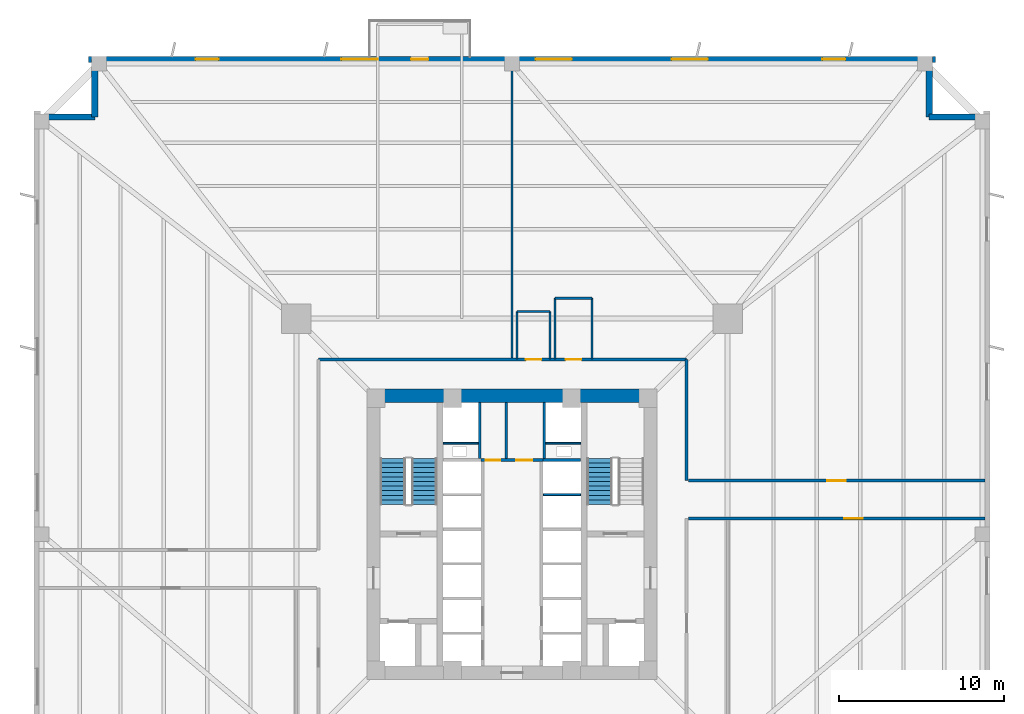
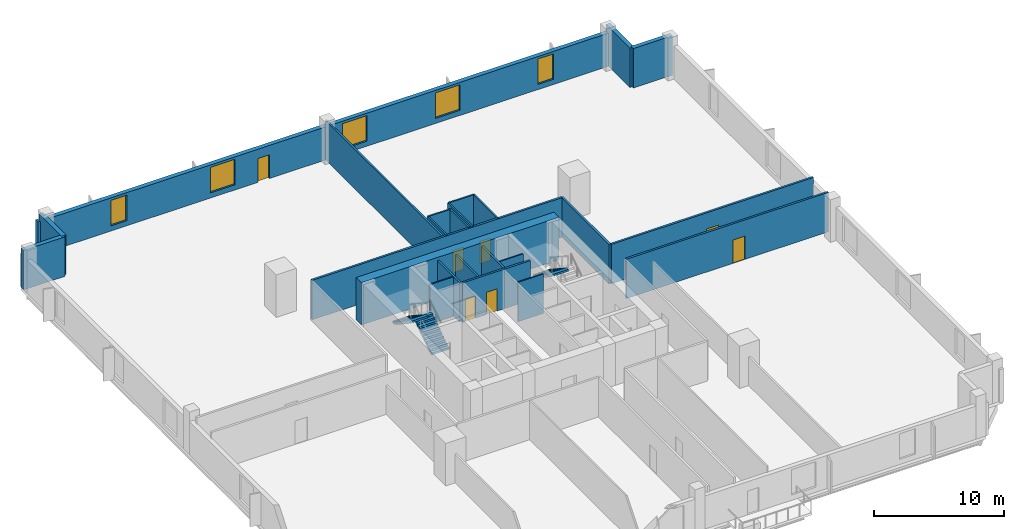
# One storey, part 4 of 8: 25 walls, 7 doors, 5 windows, 3 stair flights, 12 openings, 2 elements without a shape of their own.
"""IFC4 building model written with IfcOpenShell, lengths in metres."""

from ifc_helpers import new_model, si_unit, direction, frame, frame_2d, origin, place, context, subcontext, project, spatial, polyline, rectangle, outline, extrude, source, transform, mapped, material, layer, layer_set, type_object, element, fill, aggregate, save


model = new_model("IFC4")

# Units and contexts
model_context = context("Model", 3, precision=1e-05, world=origin(), true_north=direction((0.0, 1.0)))
body_context = subcontext(model_context, "Body", "Model", "MODEL_VIEW")
ifc_project = project(units=[si_unit("LENGTHUNIT", "METRE"), si_unit("AREAUNIT", "SQUARE_METRE"), si_unit("VOLUMEUNIT", "CUBIC_METRE"), si_unit("PLANEANGLEUNIT", "RADIAN"), si_unit("MASSUNIT", "GRAM", prefix="KILO"), si_unit("THERMODYNAMICTEMPERATUREUNIT", "KELVIN")], contexts=[model_context])

# Site, building, storey
site_placement = place(None, origin())
site = spatial("IfcSite", under=ifc_project, at=site_placement, CompositionType="ELEMENT")
building_placement = place(site_placement, origin())
building = spatial("IfcBuilding", under=site, at=building_placement, Name="Kosmvard Interchange Tower", CompositionType="ELEMENT")
storey_placement = place(building_placement, frame((0.0, 0.0, 50.0)))
storey = spatial("IfcBuildingStorey", under=building, at=storey_placement, Name="L11", CompositionType="ELEMENT", Elevation=50.0)

# Walls
ifc_material_1 = material(Name="Acoustic gypsum partition system")
ifc_layer_1 = layer(ifc_material_1, 0.14990234375, Name="Acoustic gypsum partition system")
ifc_layer_set_1 = layer_set([ifc_layer_1], Name="Acoustic gypsum partition system")
wall_type_1 = type_object("IfcWallType", Name="Acoustic Suite & Meeting Partition 150", PredefinedType="PARTITIONING", material=ifc_layer_set_1)
wall_1_placement = place(storey_placement, frame((0.0, 10.695068359375, 0.0), z_axis=(0.0, 0.0, 1.0), x_axis=(0.0, 1.0, 0.0)))
element("IfcWall", 1, at=wall_1_placement, inside=storey, type_object=wall_type_1, Name="L11 Room Partition 01.1", PredefinedType="PARTITIONING", context=body_context, shape_type="SweptSolid", body=[
    extrude(rectangle(XDim=17.989990234375, YDim=0.14990234375, at=frame_2d((8.9951171875, 0.0))), origin(), (0.0, 0.0, 1.0), 3.719970703125),
])
ifc_material_2 = material(Name="Fire-rated gypsum partition system")
ifc_layer_2 = layer(ifc_material_2, 0.159912109375, Name="Fire-rated gypsum partition system")
ifc_layer_set_2 = layer_set([ifc_layer_2], Name="Fire-rated gypsum partition system")
wall_type_2 = type_object("IfcWallType", Name="Core Compartment & Shuttle Lobby Partition 160", PredefinedType="PARTITIONING", material=ifc_layer_set_2)
for number, where, z_axis, x_axis, name in (
    (2, (-1.9599609375, 4.580078125, 0.0), (0.0, 0.0, 1.0), (0.0, 1.0, 0.0), "L11 North Core West Wall"),
    (3, (1.9599609375, 4.580078125, 0.0), (0.0, 0.0, 1.0), (0.0, 1.0, 0.0), "L11 North Core East Wall"),
):
    element("IfcWall", number, at=place(storey_placement, frame(where, z_axis=z_axis, x_axis=x_axis)), inside=storey, type_object=wall_type_2, Name=name, PredefinedType="PARTITIONING", context=body_context, shape_type="SweptSolid", body=[
        extrude(rectangle(XDim=3.39990234375, YDim=0.159912109375, at=frame_2d((1.699951171875, 0.0))), origin(), (0.0, 0.0, 1.0), 3.719970703125),
    ])
ifc_material_3 = material(Name="Concrete blockwork masonry", Category="masonry")
ifc_layer_3 = layer(ifc_material_3, 0.159912109375, Name="Concrete blockwork masonry")
ifc_layer_set_3 = layer_set([ifc_layer_3], Name="Concrete blockwork masonry")
wall_type_3 = type_object("IfcWallType", Name="Core Enclosure Split Wall 160", PredefinedType="PARTITIONING", material=ifc_layer_set_3)
wall_2_placement = place(storey_placement, frame((-0.35009765625, 4.60009765625, 0.0), z_axis=(0.0, 0.0, 1.0), x_axis=(0.0, 1.0, 0.0)))
element("IfcWall", 4, at=wall_2_placement, inside=storey, type_object=wall_type_3, Name="L11 Core K2 Split Wall", PredefinedType="PARTITIONING", context=body_context, shape_type="SweptSolid", body=[
    extrude(rectangle(XDim=3.3798828125, YDim=0.159912109375, at=frame_2d((1.68994140625, 0.0))), origin(), (0.0, 0.0, 1.0), 3.719970703125),
])

# Wall, openings, doors
ifc_layer_4 = layer(ifc_material_2, 0.179931640625, Name="Fire-rated gypsum partition system")
ifc_layer_set_4 = layer_set([ifc_layer_4], Name="Fire-rated gypsum partition system")
wall_type_4 = type_object("IfcWallType", Name="Corridor & Hotel Compartment Partition 180", PredefinedType="PARTITIONING", material=ifc_layer_set_4)
wall_3_placement = place(storey_placement, frame((-1.8798828125, 4.489990234375, 0.0), z_axis=(0.0, 0.0, 1.0), x_axis=(1.0, 0.0, 0.0)))
wall_3 = element("IfcWall", 5, at=wall_3_placement, inside=storey, type_object=wall_type_4, Name="L11 Lift Lobby North Partition", PredefinedType="PARTITIONING", context=body_context, shape_type="SweptSolid", body=[
    extrude(rectangle(XDim=3.759765625, YDim=0.179931640625, at=frame_2d((1.8798828125, 0.0))), origin(), (0.0, 0.0, 1.0), 3.719970703125),
])
opening_1_placement = place(wall_3_placement, frame((0.280029296875, 0.0, 0.0)))
opening_1 = element("IfcOpeningElement", 6, at=opening_1_placement, cuts=wall_3, Name="Opening L11-KD1", PredefinedType="OPENING", context=body_context, shape_type="SweptSolid", body=[
    extrude(rectangle(XDim=0.8798828125, YDim=2.10009765625, at=frame_2d((0.43994140625, 1.050048828125))), frame((0.0, 0.10009765625, 0.0), z_axis=(0.0, -1.0, 0.0), x_axis=(1.0, 0.0, 0.0)), (0.0, 0.0, 1.0), 0.199951171875),
])
opening_2_placement = place(wall_3_placement, frame((2.14990234375, 0.0, 0.0)))
opening_2 = element("IfcOpeningElement", 7, at=opening_2_placement, cuts=wall_3, Name="Opening L11-KD2", PredefinedType="OPENING", context=body_context, shape_type="SweptSolid", body=[
    extrude(rectangle(XDim=0.949951171875, YDim=2.10009765625, at=frame_2d((0.47509765625, 1.050048828125))), frame((0.0, 0.10009765625, 0.0), z_axis=(0.0, -1.0, 0.0), x_axis=(1.0, 0.0, 0.0)), (0.0, 0.0, 1.0), 0.199951171875),
])
ifc_material_4 = material(Name="Painted fire-rated timber leaf", Category="wood")
door_type_1 = type_object("IfcDoorType", Name="Core Service Fire Door 950x2100 EI30", OperationType="NOTDEFINED", PredefinedType="DOOR", material=ifc_material_4)
shared_shape_1 = source(origin(), body_context, "Body", "SweptSolid", [
    extrude(rectangle(XDim=0.949951171875, YDim=2.10009765625, at=frame_2d((0.47509765625, 1.050048828125))), frame((0.0, 0.02490234375, 0.0), z_axis=(0.0, -1.0, 0.0), x_axis=(1.0, 0.0, 0.0)), (0.0, 0.0, 1.0), 0.050048828125),
])
door_1_placement = place(opening_2_placement, origin())
door_1 = element("IfcDoor", 8, at=door_1_placement, inside=storey, type_object=door_type_1, Name="L11 Core Tea Pantry Door", OperationType="SINGLE_SWING_RIGHT", OverallHeight=2.10009765625, OverallWidth=0.949951171875, PredefinedType="DOOR", context=body_context, shape_type="MappedRepresentation", body=[
    mapped(shared_shape_1, transform((0.0, 0.0, 0.0), scale=1.0)),
])
fill(opening_2, door_1)
door_type_2 = type_object("IfcDoorType", Name="Core Cupboard Fire Door 880x2100 EI30", OperationType="NOTDEFINED", PredefinedType="DOOR", material=ifc_material_4)
shared_shape_2 = source(origin(), body_context, "Body", "SweptSolid", [
    extrude(rectangle(XDim=0.8798828125, YDim=2.10009765625, at=frame_2d((0.43994140625, 1.050048828125))), frame((0.0, 0.02490234375, 0.0), z_axis=(0.0, -1.0, 0.0), x_axis=(1.0, 0.0, 0.0)), (0.0, 0.0, 1.0), 0.050048828125),
])
door_2_placement = place(opening_1_placement, origin())
door_2 = element("IfcDoor", 9, at=door_2_placement, inside=storey, type_object=door_type_2, Name="L11 Core Cleaner Cupboard Door", OperationType="SINGLE_SWING_LEFT", OverallHeight=2.10009765625, OverallWidth=0.8798828125, PredefinedType="DOOR", context=body_context, shape_type="MappedRepresentation", body=[
    mapped(shared_shape_2, transform((0.0, 0.0, 0.0), scale=1.0)),
])
fill(opening_1, door_2)

wall_4_placement = place(storey_placement, frame((-11.75, 10.60009765625, 0.0), z_axis=(0.0, 0.0, 1.0), x_axis=(1.0, 0.0, 0.0)))
wall_4 = element("IfcWall", 10, at=wall_4_placement, inside=storey, type_object=wall_type_4, Name="L11 Corridor Wall CN", PredefinedType="PARTITIONING", context=body_context, shape_type="SweptSolid", body=[
    extrude(rectangle(XDim=22.35009765625, YDim=0.179931640625, at=frame_2d((11.175048828125, 0.0))), origin(), (0.0, 0.0, 1.0), 3.719970703125),
])
opening_3_placement = place(wall_4_placement, frame((12.586181640625, 0.0, 0.0)))
opening_3 = element("IfcOpeningElement", 11, at=opening_3_placement, cuts=wall_4, Name="Opening L11-D01", PredefinedType="OPENING", context=body_context, shape_type="SweptSolid", body=[
    extrude(rectangle(XDim=0.949951171875, YDim=2.10009765625, at=frame_2d((0.47509765625, 1.050048828125))), frame((0.0, 0.10009765625, 0.0), z_axis=(0.0, -1.0, 0.0), x_axis=(1.0, 0.0, 0.0)), (0.0, 0.0, 1.0), 0.199951171875),
])
opening_4_placement = place(wall_4_placement, frame((15.01025390625, 0.0, 0.0)))
opening_4 = element("IfcOpeningElement", 12, at=opening_4_placement, cuts=wall_4, Name="Opening L11-D02", PredefinedType="OPENING", context=body_context, shape_type="SweptSolid", body=[
    extrude(rectangle(XDim=0.949951171875, YDim=2.10009765625, at=frame_2d((0.47509765625, 1.050048828125))), frame((0.0, 0.10009765625, 0.0), z_axis=(0.0, -1.0, 0.0), x_axis=(1.0, 0.0, 0.0)), (0.0, 0.0, 1.0), 0.199951171875),
])
ifc_material_5 = material(Name="Laminated moisture-resistant timber", Category="wood")
door_type_3 = type_object("IfcDoorType", Name="Accessible Washroom Door 950x2100", OperationType="NOTDEFINED", PredefinedType="DOOR", material=ifc_material_5)
door_3_placement = place(opening_3_placement, origin())
door_3 = element("IfcDoor", 13, at=door_3_placement, inside=storey, type_object=door_type_3, Name="L11 Accessible Toilet Door", OperationType="SINGLE_SWING_LEFT", OverallHeight=2.10009765625, OverallWidth=0.949951171875, PredefinedType="DOOR", context=body_context, shape_type="MappedRepresentation", body=[
    mapped(shared_shape_1, transform((0.0, 0.0, 0.0), scale=1.0)),
])
fill(opening_3, door_3)
door_4_placement = place(opening_4_placement, origin())
door_4 = element("IfcDoor", 14, at=door_4_placement, inside=storey, type_object=door_type_3, Name="L11 Public Floor Washroom Door", OperationType="SINGLE_SWING_RIGHT", OverallHeight=2.10009765625, OverallWidth=0.949951171875, PredefinedType="DOOR", context=body_context, shape_type="MappedRepresentation", body=[
    mapped(shared_shape_1, transform((0.0, 0.0, 0.0), scale=1.0)),
])
fill(opening_4, door_4)

# Wall
wall_5_placement = place(storey_placement, frame((10.60009765625, 3.25, 0.0), z_axis=(0.0, 0.0, 1.0), x_axis=(0.0, 1.0, 0.0)))
element("IfcWall", 15, at=wall_5_placement, inside=storey, type_object=wall_type_4, Name="L11 Corridor Wall CEN", PredefinedType="PARTITIONING", context=body_context, shape_type="SweptSolid", body=[
    extrude(rectangle(XDim=7.35009765625, YDim=0.179931640625, at=frame_2d((3.675048828125, 0.0))), origin(), (0.0, 0.0, 1.0), 3.719970703125),
])

# Wall, opening, door
wall_6_placement = place(storey_placement, frame((10.699951171875, 0.949951171875, 0.0), z_axis=(0.0, 0.0, 1.0), x_axis=(1.0, 0.0, 0.0)))
wall_6 = element("IfcWall", 16, at=wall_6_placement, inside=storey, type_object=wall_type_4, Name="L11 Corridor Wall SES", PredefinedType="PARTITIONING", context=body_context, shape_type="SweptSolid", body=[
    extrude(rectangle(XDim=17.985107421875, YDim=0.179931640625, at=frame_2d((8.99267578125, 0.0))), origin(), (0.0, 0.0, 1.0), 3.719970703125),
])
opening_5_placement = place(wall_6_placement, frame((9.468505859375, 0.0, 0.0)))
opening_5 = element("IfcOpeningElement", 17, at=opening_5_placement, cuts=wall_6, Name="Opening L11-D07", PredefinedType="OPENING", context=body_context, shape_type="SweptSolid", body=[
    extrude(rectangle(XDim=1.10009765625, YDim=2.199951171875, at=frame_2d((0.550048828125, 1.10009765625))), frame((0.0, 0.10009765625, 0.0), z_axis=(0.0, -1.0, 0.0), x_axis=(1.0, 0.0, 0.0)), (0.0, 0.0, 1.0), 0.199951171875),
])
ifc_material_6 = material(Name="Engineered oak fire-rated timber", Category="wood")
door_type_4 = type_object("IfcDoorType", Name="Office Suite Entrance Door 1100x2200 FD30S", OperationType="NOTDEFINED", PredefinedType="DOOR", material=ifc_material_6)
shared_shape_3 = source(origin(), body_context, "Body", "SweptSolid", [
    extrude(rectangle(XDim=1.10009765625, YDim=2.199951171875, at=frame_2d((0.550048828125, 1.10009765625))), frame((0.0, 0.02490234375, 0.0), z_axis=(0.0, -1.0, 0.0), x_axis=(1.0, 0.0, 0.0)), (0.0, 0.0, 1.0), 0.050048828125),
])
door_5_placement = place(opening_5_placement, frame((1.10009765625, 0.0, 0.0), z_axis=(0.0, 0.0, 1.0), x_axis=(-1.0, 0.0, 0.0)))
door_5 = element("IfcDoor", 18, at=door_5_placement, inside=storey, type_object=door_type_4, Name="L11 East Open Engineering Studio Door", OperationType="SINGLE_SWING_LEFT", OverallHeight=2.199951171875, OverallWidth=1.10009765625, PredefinedType="DOOR", context=body_context, shape_type="MappedRepresentation", body=[
    mapped(shared_shape_3, transform((0.0, 0.0, 0.0), scale=1.0)),
])
fill(opening_5, door_5)

wall_7_placement = place(storey_placement, frame((10.699951171875, 3.25, 0.0), z_axis=(0.0, 0.0, 1.0), x_axis=(1.0, 0.0, 0.0)))
wall_7 = element("IfcWall", 19, at=wall_7_placement, inside=storey, type_object=wall_type_4, Name="L11 Corridor Wall SEN", PredefinedType="PARTITIONING", context=body_context, shape_type="SweptSolid", body=[
    extrude(rectangle(XDim=17.985107421875, YDim=0.179931640625, at=frame_2d((8.99267578125, 0.0))), origin(), (0.0, 0.0, 1.0), 3.719970703125),
])
opening_6_placement = place(wall_7_placement, frame((8.4423828125, 0.0, 0.0)))
opening_6 = element("IfcOpeningElement", 20, at=opening_6_placement, cuts=wall_7, Name="Opening L11-D04", PredefinedType="OPENING", context=body_context, shape_type="SweptSolid", body=[
    extrude(rectangle(XDim=1.10009765625, YDim=2.199951171875, at=frame_2d((0.550048828125, 1.10009765625))), frame((0.0, 0.10009765625, 0.0), z_axis=(0.0, -1.0, 0.0), x_axis=(1.0, 0.0, 0.0)), (0.0, 0.0, 1.0), 0.199951171875),
])
door_6_placement = place(opening_6_placement, origin())
door_6 = element("IfcDoor", 21, at=door_6_placement, inside=storey, type_object=door_type_4, Name="L11 Transit Briefing Auditorium Door", OperationType="SINGLE_SWING_RIGHT", OverallHeight=2.199951171875, OverallWidth=1.10009765625, PredefinedType="DOOR", context=body_context, shape_type="MappedRepresentation", body=[
    mapped(shared_shape_3, transform((0.0, 0.0, 0.0), scale=1.0)),
])
fill(opening_6, door_6)

# Walls
ifc_material_7 = material(Name="Concrete C80/95", Category="concrete")
ifc_layer_5 = layer(ifc_material_7, 0.800048828125, Name="Concrete C80/95")
ifc_layer_set_5 = layer_set([ifc_layer_5], Name="Concrete C80/95")
wall_type_5 = type_object("IfcWallType", Name="Lower Core Shear Wall 800 C80/95", PredefinedType="SHEAR", material=ifc_layer_set_5)
wall_8_placement = place(storey_placement, frame((-8.800048828125, 8.39990234375, 0.0), z_axis=(0.0, 0.0, 1.0), x_axis=(1.0, 0.0, 0.0)))
element("IfcWall", 22, at=wall_8_placement, inside=storey, type_object=wall_type_5, Name="L11 Core Shear Wall CW-N", PredefinedType="SHEAR", context=body_context, shape_type="SweptSolid", body=[
    extrude(rectangle(XDim=17.60009765625, YDim=0.800048828125, at=frame_2d((8.800048828125, 0.0))), origin(), (0.0, 0.0, 1.0), 4.0),
])
ifc_material_8 = material(Name="Precast concrete C45/55", Category="concrete")
ifc_layer_6 = layer(ifc_material_8, 0.3798828125, Name="Precast concrete C45/55")
ifc_layer_set_6 = layer_set([ifc_layer_6], Name="Precast concrete C45/55")
wall_type_6 = type_object("IfcWallType", Name="Lower Tower Precast Pier Wall 380 C45/55", PredefinedType="STANDARD", material=ifc_layer_set_6)
wall_9_placement = place(storey_placement, frame((28.81005859375, 25.31005859375, 0.0), z_axis=(0.0, 0.0, 1.0), x_axis=(-1.0, 0.0, 0.0)))
element("IfcWall", 23, at=wall_9_placement, inside=storey, type_object=wall_type_6, Name="L11 Precast Facade Wall N-NE1", PredefinedType="STANDARD", context=body_context, shape_type="SweptSolid", body=[
    extrude(rectangle(XDim=3.5, YDim=0.3798828125, at=frame_2d((1.75, 0.0))), origin(), (0.0, 0.0, 1.0), 3.719970703125),
])
wall_10_placement = place(storey_placement, frame((25.31005859375, 25.31005859375, 0.0), z_axis=(0.0, 0.0, 1.0), x_axis=(0.0, 1.0, 0.0)))
element("IfcWall", 24, at=wall_10_placement, inside=storey, type_object=wall_type_6, Name="L11 Precast Facade Wall N-NE2", PredefinedType="STANDARD", context=body_context, shape_type="SweptSolid", body=[
    extrude(rectangle(XDim=3.68994140625, YDim=0.3798828125, at=frame_2d((1.844970703125, 0.0))), origin(), (0.0, 0.0, 1.0), 3.719970703125),
])

# Wall, openings, door, windows
wall_11_placement = place(storey_placement, frame((25.68994140625, 28.81005859375, 0.0), z_axis=(0.0, 0.0, 1.0), x_axis=(-1.0, 0.0, 0.0)))
wall_11 = element("IfcWall", 25, at=wall_11_placement, inside=storey, type_object=wall_type_6, Name="L11 Precast Facade Wall F-N", PredefinedType="STANDARD", context=body_context, shape_type="SweptSolid", body=[
    extrude(rectangle(XDim=51.3798828125, YDim=0.3798828125, at=frame_2d((25.68994140625, 0.0))), origin(), (0.0, 0.0, 1.0), 3.1201171875),
])
opening_7_placement = place(wall_11_placement, frame((30.764892578125, 0.0, 0.0)))
opening_7 = element("IfcOpeningElement", 26, at=opening_7_placement, cuts=wall_11, Name="Opening L11-BDE", PredefinedType="OPENING", context=body_context, shape_type="SweptSolid", body=[
    extrude(rectangle(XDim=1.050048828125, YDim=2.25, at=frame_2d((0.52490234375, 1.125))), frame((0.0, 0.199951171875, 0.0), z_axis=(0.0, -1.0, 0.0), x_axis=(1.0, 0.0, 0.0)), (0.0, 0.0, 1.0), 0.39990234375),
])
opening_8_placement = place(wall_11_placement, frame((5.465576171875, 0.0, 0.489990234375)))
opening_8 = element("IfcOpeningElement", 27, at=opening_8_placement, cuts=wall_11, Name="Opening L11-W11", PredefinedType="OPENING", context=body_context, shape_type="SweptSolid", body=[
    extrude(rectangle(XDim=1.39990234375, YDim=2.39990234375, at=frame_2d((0.699951171875, 1.199951171875))), frame((0.0, 0.199951171875, 0.0), z_axis=(0.0, -1.0, 0.0), x_axis=(1.0, 0.0, 0.0)), (0.0, 0.0, 1.0), 0.39990234375),
])
opening_9_placement = place(wall_11_placement, frame((13.80029296875, 0.0, 0.489990234375)))
opening_9 = element("IfcOpeningElement", 28, at=opening_9_placement, cuts=wall_11, Name="Opening L11-W12", PredefinedType="OPENING", context=body_context, shape_type="SweptSolid", body=[
    extrude(rectangle(XDim=2.199951171875, YDim=2.39990234375, at=frame_2d((1.10009765625, 1.199951171875))), frame((0.0, 0.199951171875, 0.0), z_axis=(0.0, -1.0, 0.0), x_axis=(1.0, 0.0, 0.0)), (0.0, 0.0, 1.0), 0.39990234375),
])
opening_10_placement = place(wall_11_placement, frame((22.0625, 0.0, 0.489990234375)))
opening_10 = element("IfcOpeningElement", 29, at=opening_10_placement, cuts=wall_11, Name="Opening L11-W13", PredefinedType="OPENING", context=body_context, shape_type="SweptSolid", body=[
    extrude(rectangle(XDim=2.199951171875, YDim=2.39990234375, at=frame_2d((1.10009765625, 1.199951171875))), frame((0.0, 0.199951171875, 0.0), z_axis=(0.0, -1.0, 0.0), x_axis=(1.0, 0.0, 0.0)), (0.0, 0.0, 1.0), 0.39990234375),
])
opening_11_placement = place(wall_11_placement, frame((33.83837890625, 0.0, 0.489990234375)))
opening_11 = element("IfcOpeningElement", 30, at=opening_11_placement, cuts=wall_11, Name="Opening L11-W14", PredefinedType="OPENING", context=body_context, shape_type="SweptSolid", body=[
    extrude(rectangle(XDim=2.199951171875, YDim=2.39990234375, at=frame_2d((1.10009765625, 1.199951171875))), frame((0.0, 0.199951171875, 0.0), z_axis=(0.0, -1.0, 0.0), x_axis=(1.0, 0.0, 0.0)), (0.0, 0.0, 1.0), 0.39990234375),
])
opening_12_placement = place(wall_11_placement, frame((43.48681640625, 0.0, 0.489990234375)))
opening_12 = element("IfcOpeningElement", 31, at=opening_12_placement, cuts=wall_11, Name="Opening L11-W15", PredefinedType="OPENING", context=body_context, shape_type="SweptSolid", body=[
    extrude(rectangle(XDim=1.39990234375, YDim=2.39990234375, at=frame_2d((0.699951171875, 1.199951171875))), frame((0.0, 0.199951171875, 0.0), z_axis=(0.0, -1.0, 0.0), x_axis=(1.0, 0.0, 0.0)), (0.0, 0.0, 1.0), 0.39990234375),
])
ifc_material_9 = material(Name="Anodised aluminium and safety glass", Category="aluminium")
door_type_5 = type_object("IfcDoorType", Name="Tree-Balcony Glazed Door 1050x2250", OperationType="NOTDEFINED", PredefinedType="DOOR", material=ifc_material_9)
shared_shape_4 = source(origin(), body_context, "Body", "SweptSolid", [
    extrude(rectangle(XDim=1.050048828125, YDim=2.25, at=frame_2d((0.52490234375, 1.125))), frame((0.0, 0.02490234375, 0.0), z_axis=(0.0, -1.0, 0.0), x_axis=(1.0, 0.0, 0.0)), (0.0, 0.0, 1.0), 0.050048828125),
])
door_7_placement = place(opening_7_placement, origin())
door_7 = element("IfcDoor", 32, at=door_7_placement, inside=storey, type_object=door_type_5, Name="L11 Tree-Balcony Door BAL-L11-NE", OperationType="SINGLE_SWING_RIGHT", OverallHeight=2.25, OverallWidth=1.050048828125, PredefinedType="DOOR", context=body_context, shape_type="MappedRepresentation", body=[
    mapped(shared_shape_4, transform((0.0, 0.0, 0.0), scale=1.0)),
])
fill(opening_7, door_7)
ifc_material_10 = material(Name="Low-E solar-control double glazing", Category="glass")
window_type_1 = type_object("IfcWindowType", Name="Notched Corner Feature Window 1400x2400", PartitioningType="SINGLE_PANEL", PredefinedType="WINDOW", material=ifc_material_10)
shared_shape_5 = source(origin(), body_context, "Body", "SweptSolid", [
    extrude(rectangle(XDim=1.39990234375, YDim=2.39990234375, at=frame_2d((0.699951171875, 1.199951171875))), frame((0.0, 0.030029296875, 0.0), z_axis=(0.0, -1.0, 0.0), x_axis=(1.0, 0.0, 0.0)), (0.0, 0.0, 1.0), 0.06005859375),
])
window_1_placement = place(opening_8_placement, origin())
window_1 = element("IfcWindow", 33, at=window_1_placement, inside=storey, type_object=window_type_1, Name="L11 Facade Punched Window 11", OverallHeight=2.39990234375, OverallWidth=1.39990234375, PartitioningType="SINGLE_PANEL", PredefinedType="WINDOW", context=body_context, shape_type="MappedRepresentation", body=[
    mapped(shared_shape_5, transform((0.0, 0.0, 0.0), scale=1.0)),
])
fill(opening_8, window_1)
window_2_placement = place(opening_12_placement, origin())
window_2 = element("IfcWindow", 34, at=window_2_placement, inside=storey, type_object=window_type_1, Name="L11 Facade Punched Window 15", OverallHeight=2.39990234375, OverallWidth=1.39990234375, PartitioningType="SINGLE_PANEL", PredefinedType="WINDOW", context=body_context, shape_type="MappedRepresentation", body=[
    mapped(shared_shape_5, transform((0.0, 0.0, 0.0), scale=1.0)),
])
fill(opening_12, window_2)
window_type_2 = type_object("IfcWindowType", Name="Zone 1 Office Punched Window 2200x2400", PartitioningType="SINGLE_PANEL", PredefinedType="WINDOW", material=ifc_material_10)
shared_shape_6 = source(origin(), body_context, "Body", "SweptSolid", [
    extrude(rectangle(XDim=2.199951171875, YDim=2.39990234375, at=frame_2d((1.10009765625, 1.199951171875))), frame((0.0, 0.030029296875, 0.0), z_axis=(0.0, -1.0, 0.0), x_axis=(1.0, 0.0, 0.0)), (0.0, 0.0, 1.0), 0.06005859375),
])
window_3_placement = place(opening_9_placement, origin())
window_3 = element("IfcWindow", 35, at=window_3_placement, inside=storey, type_object=window_type_2, Name="L11 Facade Punched Window 12", OverallHeight=2.39990234375, OverallWidth=2.199951171875, PartitioningType="SINGLE_PANEL", PredefinedType="WINDOW", context=body_context, shape_type="MappedRepresentation", body=[
    mapped(shared_shape_6, transform((0.0, 0.0, 0.0), scale=1.0)),
])
fill(opening_9, window_3)
window_4_placement = place(opening_10_placement, origin())
window_4 = element("IfcWindow", 36, at=window_4_placement, inside=storey, type_object=window_type_2, Name="L11 Facade Punched Window 13", OverallHeight=2.39990234375, OverallWidth=2.199951171875, PartitioningType="SINGLE_PANEL", PredefinedType="WINDOW", context=body_context, shape_type="MappedRepresentation", body=[
    mapped(shared_shape_6, transform((0.0, 0.0, 0.0), scale=1.0)),
])
fill(opening_10, window_4)
window_5_placement = place(opening_11_placement, origin())
window_5 = element("IfcWindow", 37, at=window_5_placement, inside=storey, type_object=window_type_2, Name="L11 Facade Punched Window 14", OverallHeight=2.39990234375, OverallWidth=2.199951171875, PartitioningType="SINGLE_PANEL", PredefinedType="WINDOW", context=body_context, shape_type="MappedRepresentation", body=[
    mapped(shared_shape_6, transform((0.0, 0.0, 0.0), scale=1.0)),
])
fill(opening_11, window_5)

# Walls
wall_12_placement = place(storey_placement, frame((-25.31005859375, 28.81005859375, 0.0), z_axis=(0.0, 0.0, 1.0), x_axis=(0.0, -1.0, 0.0)))
element("IfcWall", 38, at=wall_12_placement, inside=storey, type_object=wall_type_6, Name="L11 Precast Facade Wall N-NW1", PredefinedType="STANDARD", context=body_context, shape_type="SweptSolid", body=[
    extrude(rectangle(XDim=3.5, YDim=0.3798828125, at=frame_2d((1.75, 0.0))), origin(), (0.0, 0.0, 1.0), 3.719970703125),
])
wall_13_placement = place(storey_placement, frame((-25.31005859375, 25.31005859375, 0.0), z_axis=(0.0, 0.0, 1.0), x_axis=(-1.0, 0.0, 0.0)))
element("IfcWall", 39, at=wall_13_placement, inside=storey, type_object=wall_type_6, Name="L11 Precast Facade Wall N-NW2", PredefinedType="STANDARD", context=body_context, shape_type="SweptSolid", body=[
    extrude(rectangle(XDim=3.68994140625, YDim=0.3798828125, at=frame_2d((1.844970703125, 0.0))), origin(), (0.0, 0.0, 1.0), 3.719970703125),
])
ifc_layer_7 = layer(ifc_material_3, 0.179931640625, Name="Concrete blockwork masonry")
ifc_layer_set_7 = layer_set([ifc_layer_7], Name="Concrete blockwork masonry")
wall_type_7 = type_object("IfcWallType", Name="Riser & Lift Bank Divider Wall 180", PredefinedType="PARTITIONING", material=ifc_layer_set_7)
wall_14_placement = place(storey_placement, frame((1.889892578125, 4.489990234375, 0.0), z_axis=(0.0, 0.0, 1.0), x_axis=(1.0, 0.0, 0.0)))
element("IfcWall", 40, at=wall_14_placement, inside=storey, type_object=wall_type_7, Name="L11 East Bank Divider BD3", PredefinedType="PARTITIONING", context=body_context, shape_type="SweptSolid", body=[
    extrude(rectangle(XDim=2.280029296875, YDim=0.179931640625, at=frame_2d((1.14013671875, 0.0))), origin(), (0.0, 0.0, 1.0), 3.719970703125),
])
ifc_material_11 = material(Name="Fire-rated gypsum shaftwall system")
ifc_layer_8 = layer(ifc_material_11, 0.1201171875, Name="Fire-rated gypsum shaftwall system")
ifc_layer_set_8 = layer_set([ifc_layer_8], Name="Fire-rated gypsum shaftwall system")
wall_type_8 = type_object("IfcWallType", Name="Shaft & Riser Fire Partition 120 EI60", PredefinedType="PARTITIONING", material=ifc_layer_set_8)
wall_15_placement = place(storey_placement, frame((1.89990234375, 2.39990234375, 0.0), z_axis=(0.0, 0.0, 1.0), x_axis=(1.0, 0.0, 0.0)))
element("IfcWall", 41, at=wall_15_placement, inside=storey, type_object=wall_type_8, Name="L11 Shaft Divider PL-H3", PredefinedType="PARTITIONING", context=body_context, shape_type="SweptSolid", body=[
    extrude(rectangle(XDim=2.260009765625, YDim=0.1201171875, at=frame_2d((1.1298828125, 0.0))), origin(), (0.0, 0.0, 1.0), 3.719970703125),
])
for number, where, z_axis, x_axis, name in (
    (42, (-4.159912109375, 5.52001953125, 0.0), (0.0, 0.0, 1.0), (1.0, 0.0, 0.0), "L11 Riser Shaft Divider W"),
    (43, (2.06005859375, 5.52001953125, 0.0), (0.0, 0.0, 1.0), (1.0, 0.0, 0.0), "L11 Riser Shaft Divider E"),
):
    element("IfcWall", number, at=place(storey_placement, frame(where, z_axis=z_axis, x_axis=x_axis)), inside=storey, type_object=wall_type_8, Name=name, PredefinedType="PARTITIONING", context=body_context, shape_type="SweptSolid", body=[
        extrude(rectangle(XDim=2.099853515625, YDim=0.1201171875, at=frame_2d((1.0498046875, 0.0))), origin(), (0.0, 0.0, 1.0), 3.719970703125),
    ])
ifc_material_12 = material(Name="Moisture-resistant gypsum partition")
ifc_layer_9 = layer(ifc_material_12, 0.135009765625, Name="Moisture-resistant gypsum partition")
ifc_layer_set_9 = layer_set([ifc_layer_9], Name="Moisture-resistant gypsum partition")
wall_type_9 = type_object("IfcWallType", Name="Wet Room Moisture-Resistant Partition 135", PredefinedType="PARTITIONING", material=ifc_layer_set_9)
wall_16_placement = place(storey_placement, frame((2.31103515625, 10.6201171875, 0.0), z_axis=(0.0, 0.0, 1.0), x_axis=(0.0, 1.0, 0.0)))
element("IfcWall", 44, at=wall_16_placement, inside=storey, type_object=wall_type_9, Name="L11 Washroom Partition AWC1-E", PredefinedType="PARTITIONING", context=body_context, shape_type="SweptSolid", body=[
    extrude(rectangle(XDim=2.89990234375, YDim=0.135009765625, at=frame_2d((1.449951171875, 0.0))), origin(), (0.0, 0.0, 1.0), 3.719970703125),
])
wall_17_placement = place(storey_placement, frame((0.31103515625, 13.52001953125, 0.0), z_axis=(0.0, 0.0, 1.0), x_axis=(1.0, 0.0, 0.0)))
element("IfcWall", 45, at=wall_17_placement, inside=storey, type_object=wall_type_9, Name="L11 Washroom Partition AWC1-N", PredefinedType="PARTITIONING", context=body_context, shape_type="SweptSolid", body=[
    extrude(rectangle(XDim=2.0, YDim=0.135009765625, at=frame_2d((1.0, 0.0))), origin(), (0.0, 0.0, 1.0), 3.719970703125),
])
wall_18_placement = place(storey_placement, frame((0.31103515625, 10.6201171875, 0.0), z_axis=(0.0, 0.0, 1.0), x_axis=(0.0, 1.0, 0.0)))
element("IfcWall", 46, at=wall_18_placement, inside=storey, type_object=wall_type_9, Name="L11 Washroom Partition AWC1-W", PredefinedType="PARTITIONING", context=body_context, shape_type="SweptSolid", body=[
    extrude(rectangle(XDim=2.89990234375, YDim=0.135009765625, at=frame_2d((1.449951171875, 0.0))), origin(), (0.0, 0.0, 1.0), 3.719970703125),
])
wall_19_placement = place(storey_placement, frame((4.860107421875, 10.6201171875, 0.0), z_axis=(0.0, 0.0, 1.0), x_axis=(0.0, 1.0, 0.0)))
element("IfcWall", 47, at=wall_19_placement, inside=storey, type_object=wall_type_9, Name="L11 Washroom Partition WC1-E", PredefinedType="PARTITIONING", context=body_context, shape_type="SweptSolid", body=[
    extrude(rectangle(XDim=3.699951171875, YDim=0.135009765625, at=frame_2d((1.85009765625, 0.0))), origin(), (0.0, 0.0, 1.0), 3.719970703125),
])
wall_20_placement = place(storey_placement, frame((2.610107421875, 14.320068359375, 0.0), z_axis=(0.0, 0.0, 1.0), x_axis=(1.0, 0.0, 0.0)))
element("IfcWall", 48, at=wall_20_placement, inside=storey, type_object=wall_type_9, Name="L11 Washroom Partition WC1-N", PredefinedType="PARTITIONING", context=body_context, shape_type="SweptSolid", body=[
    extrude(rectangle(XDim=2.25, YDim=0.135009765625, at=frame_2d((1.125, 0.0))), origin(), (0.0, 0.0, 1.0), 3.719970703125),
])
wall_21_placement = place(storey_placement, frame((2.610107421875, 10.6201171875, 0.0), z_axis=(0.0, 0.0, 1.0), x_axis=(0.0, 1.0, 0.0)))
element("IfcWall", 49, at=wall_21_placement, inside=storey, type_object=wall_type_9, Name="L11 Washroom Partition WC1-W", PredefinedType="PARTITIONING", context=body_context, shape_type="SweptSolid", body=[
    extrude(rectangle(XDim=3.699951171875, YDim=0.135009765625, at=frame_2d((1.85009765625, 0.0))), origin(), (0.0, 0.0, 1.0), 3.719970703125),
])

# Stair, stair flights
ifc_material_13 = material(Name="Concrete C50/60", Category="concrete")
stair_type = type_object("IfcStairType", Name="Dog-Leg Core Exit Stair H4000 C50/60", PredefinedType="HALF_TURN_STAIR", material=ifc_material_13)
stair_1_placement = place(storey_placement, origin())
stair_1 = element("IfcStair", 50, at=stair_1_placement, inside=storey, type_object=stair_type, Name="L11 Protected Exit Stair ST-1", PredefinedType="HALF_TURN_STAIR")
stair_flight_type = type_object("IfcStairFlightType", Name="Core Stair Flight W1550 H4000 C50/60", PredefinedType="STRAIGHT", material=ifc_material_13)
shared_shape_7 = source(origin(), body_context, "Body", "SweptSolid", [
    extrude(outline(polyline([(0.0, 0.0), (0.0, 0.181884765625), (0.280029296875, 0.181884765625), (0.280029296875, 0.363525390625), (0.56005859375, 0.363525390625), (0.56005859375, 0.54541015625), (0.840087890625, 0.54541015625), (0.840087890625, 0.727294921875), (1.1201171875, 0.727294921875), (1.1201171875, 0.9091796875), (1.39990234375, 0.9091796875), (1.39990234375, 1.0908203125), (1.679931640625, 1.0908203125), (1.679931640625, 1.272705078125), (1.9599609375, 1.272705078125), (1.9599609375, 1.45458984375), (2.239990234375, 1.45458984375), (2.239990234375, 1.636474609375), (2.52001953125, 1.636474609375), (2.52001953125, 1.818115234375), (2.800048828125, 1.818115234375), (2.800048828125, 2.0), (2.800048828125, 1.62744140625), (0.293701171875, 0.0), (0.0, 0.0)])), frame((0.0, 0.77490234375, 0.0), z_axis=(0.0, -1.0, 0.0), x_axis=(1.0, 0.0, 0.0)), (0.0, 0.0, 1.0), 1.550048828125),
])
stair_flight_1_placement = place(storey_placement, frame((-5.31494140625, 1.800048828125, 0.0), z_axis=(0.0, 0.0, 1.0), x_axis=(0.0, 1.0, 0.0)))
stair_flight_1 = element("IfcStairFlight", 51, at=stair_flight_1_placement, type_object=stair_flight_type, Name="ST-1 flight 1", NumberOfRisers=11, NumberOfTreads=10, PredefinedType="STRAIGHT", RiserHeight=0.181818182, TreadLength=0.28, context=body_context, shape_type="MappedRepresentation", body=[
    mapped(shared_shape_7, transform((0.0, 0.0, 0.0), scale=1.0)),
])
stair_flight_2_placement = place(storey_placement, frame((-7.22509765625, 4.60009765625, 2.0), z_axis=(0.0, 0.0, 1.0), x_axis=(0.0, -1.0, 0.0)))
stair_flight_2 = element("IfcStairFlight", 52, at=stair_flight_2_placement, type_object=stair_flight_type, Name="ST-1 flight 2", NumberOfRisers=11, NumberOfTreads=10, PredefinedType="STRAIGHT", RiserHeight=0.181818182, TreadLength=0.28, context=body_context, shape_type="MappedRepresentation", body=[
    mapped(shared_shape_7, transform((0.0, 0.0, 0.0), scale=1.0)),
])
aggregate(stair_1, [stair_flight_1, stair_flight_2])

# Stair, stair flight
stair_2_placement = place(storey_placement, origin())
stair_2 = element("IfcStair", 53, at=stair_2_placement, inside=storey, type_object=stair_type, Name="L11 Protected Exit Stair ST-2", PredefinedType="HALF_TURN_STAIR")
stair_flight_3_placement = place(storey_placement, frame((5.31494140625, 4.60009765625, 2.0), z_axis=(0.0, 0.0, 1.0), x_axis=(0.0, -1.0, 0.0)))
stair_flight_3 = element("IfcStairFlight", 54, at=stair_flight_3_placement, type_object=stair_flight_type, Name="ST-2 flight 2", NumberOfRisers=11, NumberOfTreads=10, PredefinedType="STRAIGHT", RiserHeight=0.181818182, TreadLength=0.28, context=body_context, shape_type="MappedRepresentation", body=[
    mapped(shared_shape_7, transform((0.0, 0.0, 0.0), scale=1.0)),
])
aggregate(stair_2, [stair_flight_3])

save(model, "model.ifc")
